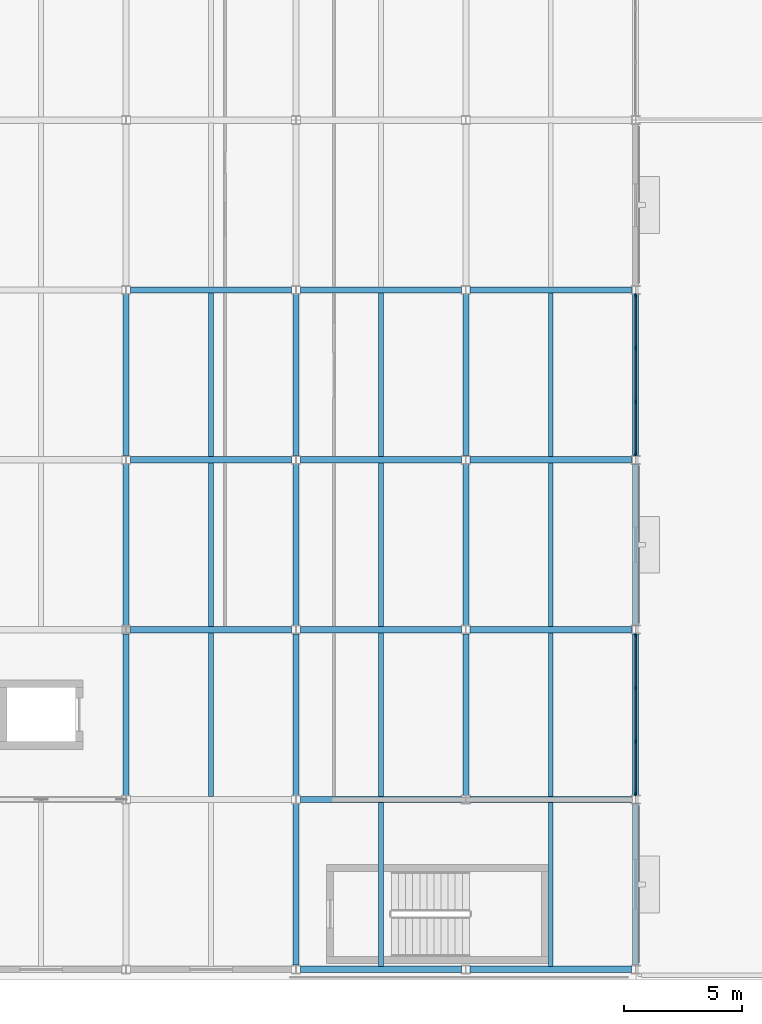
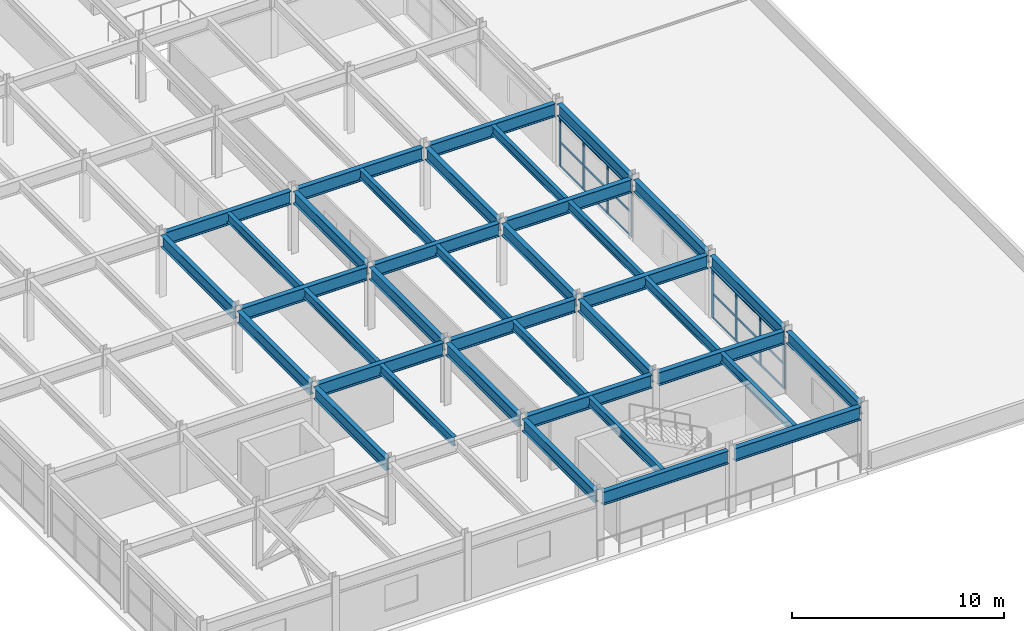
# One storey, part 25 of 80: 38 beams, 26 members, 2 elements without a shape of their own.
"""IFC4 building model written with IfcOpenShell, lengths in metres."""

from ifc_helpers import new_model, si_unit, direction, frame, origin, origin_2d, place, context, subcontext, project, spatial, rectangle, i_section, extrude, material, material_profile, profile_set, type_object, element, aggregate, save


model = new_model("IFC4")

# Units and contexts
model_context = context("Model", 3, precision=1e-05, world=origin(), true_north=direction((0.0, 1.0)))
body_context = subcontext(model_context, "Body", "Model", "MODEL_VIEW")
ifc_project = project(units=[si_unit("LENGTHUNIT", "METRE"), si_unit("AREAUNIT", "SQUARE_METRE"), si_unit("VOLUMEUNIT", "CUBIC_METRE"), si_unit("PLANEANGLEUNIT", "RADIAN"), si_unit("MASSUNIT", "GRAM", prefix="KILO")], contexts=[model_context])

# Site, building, storey
site_placement = place(None, origin())
site = spatial("IfcSite", under=ifc_project, at=site_placement, CompositionType="ELEMENT")
building_placement = place(site_placement, origin())
building = spatial("IfcBuilding", under=site, at=building_placement, Name="Vaelcorin Mobility Hub", CompositionType="ELEMENT")
storey_placement = place(building_placement, frame((0.0, 0.0, 9.300048828125)))
storey = spatial("IfcBuildingStorey", under=building, at=storey_placement, Name="L02", CompositionType="ELEMENT", Elevation=9.300048828125)

# Beams
ifc_material_1 = material(Name="Steel ASTM A992 Grade 50", Category="steel")
ifc_material_profile_1 = material_profile(ifc_material_1, i_section(OverallWidth=0.2099609375, OverallDepth=0.532958984375, WebThickness=0.01025390625, FlangeThickness=0.015625, FilletRadius=0.013916015625, at=origin_2d()), Name="W21X62")
ifc_profile_set_1 = profile_set([ifc_material_profile_1], Name="Steel ASTM A992 Grade 50")
beam_type_1 = type_object("IfcBeamType", Name="BM-W21X62", PredefinedType="JOIST", material=ifc_profile_set_1)
beam_1_placement = place(storey_placement, frame((171.60009765625, 13.33203125, 3.333984375), z_axis=(0.0, 1.0, 0.0), x_axis=(-1.0, 0.0, 0.0)))
element("IfcBeam", 1, at=beam_1_placement, inside=storey, type_object=beam_type_1, Name="L02 Beam V5-L02-J-03-02-1", PredefinedType="JOIST", context=body_context, shape_type="SweptSolid", body=[
    extrude(i_section(OverallWidth=0.2099609375, OverallDepth=0.532958984375, WebThickness=0.01025390625, FlangeThickness=0.015625, FilletRadius=0.013916015625, at=origin_2d()), origin(), (0.0, 0.0, 1.0), 6.93603515625),
])
beam_2_placement = place(storey_placement, frame((171.60009765625, 20.531005859375, 3.333984375), z_axis=(0.0, 1.0, 0.0), x_axis=(-1.0, 0.0, 0.0)))
element("IfcBeam", 2, at=beam_2_placement, inside=storey, type_object=beam_type_1, Name="L02 Beam V5-L02-J-03-03-1", PredefinedType="JOIST", context=body_context, shape_type="SweptSolid", body=[
    extrude(i_section(OverallWidth=0.2099609375, OverallDepth=0.532958984375, WebThickness=0.01025390625, FlangeThickness=0.015625, FilletRadius=0.013916015625, at=origin_2d()), origin(), (0.0, 0.0, 1.0), 6.93798828125),
])
for number, where, z_axis, x_axis, name in (
    (3, (171.60009765625, 27.73193359375, 3.333984375), (0.0, 1.0, 0.0), (-1.0, 0.0, 0.0), "L02 Beam V5-L02-J-03-04-1"),
    (4, (178.800048828125, 6.132080078125, 3.333984375), (0.0, 1.0, 0.0), (-1.0, 0.0, 0.0), "L02 Beam V5-L02-J-04-01-1"),
    (5, (178.800048828125, 13.33203125, 3.333984375), (0.0, 1.0, 0.0), (-1.0, 0.0, 0.0), "L02 Beam V5-L02-J-04-02-1"),
):
    element("IfcBeam", number, at=place(storey_placement, frame(where, z_axis=z_axis, x_axis=x_axis)), inside=storey, type_object=beam_type_1, Name=name, PredefinedType="JOIST", context=body_context, shape_type="SweptSolid", body=[
        extrude(i_section(OverallWidth=0.2099609375, OverallDepth=0.532958984375, WebThickness=0.01025390625, FlangeThickness=0.015625, FilletRadius=0.013916015625, at=origin_2d()), origin(), (0.0, 0.0, 1.0), 6.93603515625),
    ])
beam_3_placement = place(storey_placement, frame((178.800048828125, 20.531005859375, 3.333984375), z_axis=(0.0, 1.0, 0.0), x_axis=(-1.0, 0.0, 0.0)))
element("IfcBeam", 6, at=beam_3_placement, inside=storey, type_object=beam_type_1, Name="L02 Beam V5-L02-J-04-03-1", PredefinedType="JOIST", context=body_context, shape_type="SweptSolid", body=[
    extrude(i_section(OverallWidth=0.2099609375, OverallDepth=0.532958984375, WebThickness=0.01025390625, FlangeThickness=0.015625, FilletRadius=0.013916015625, at=origin_2d()), origin(), (0.0, 0.0, 1.0), 6.93798828125),
])
for number, where, z_axis, x_axis, name in (
    (7, (178.800048828125, 27.73193359375, 3.333984375), (0.0, 1.0, 0.0), (-1.0, 0.0, 0.0), "L02 Beam V5-L02-J-04-04-1"),
    (8, (186.0, 6.132080078125, 3.333984375), (0.0, 1.0, 0.0), (-1.0, 0.0, 0.0), "L02 Beam V5-L02-J-05-01-1"),
    (9, (186.0, 13.33203125, 3.333984375), (0.0, 1.0, 0.0), (-1.0, 0.0, 0.0), "L02 Beam V5-L02-J-05-02-1"),
):
    element("IfcBeam", number, at=place(storey_placement, frame(where, z_axis=z_axis, x_axis=x_axis)), inside=storey, type_object=beam_type_1, Name=name, PredefinedType="JOIST", context=body_context, shape_type="SweptSolid", body=[
        extrude(i_section(OverallWidth=0.2099609375, OverallDepth=0.532958984375, WebThickness=0.01025390625, FlangeThickness=0.015625, FilletRadius=0.013916015625, at=origin_2d()), origin(), (0.0, 0.0, 1.0), 6.93603515625),
    ])
beam_4_placement = place(storey_placement, frame((186.0, 20.531005859375, 3.333984375), z_axis=(0.0, 1.0, 0.0), x_axis=(-1.0, 0.0, 0.0)))
element("IfcBeam", 10, at=beam_4_placement, inside=storey, type_object=beam_type_1, Name="L02 Beam V5-L02-J-05-03-1", PredefinedType="JOIST", context=body_context, shape_type="SweptSolid", body=[
    extrude(i_section(OverallWidth=0.2099609375, OverallDepth=0.532958984375, WebThickness=0.01025390625, FlangeThickness=0.015625, FilletRadius=0.013916015625, at=origin_2d()), origin(), (0.0, 0.0, 1.0), 6.93798828125),
])
beam_5_placement = place(storey_placement, frame((186.0, 27.73193359375, 3.333984375), z_axis=(0.0, 1.0, 0.0), x_axis=(-1.0, 0.0, 0.0)))
element("IfcBeam", 11, at=beam_5_placement, inside=storey, type_object=beam_type_1, Name="L02 Beam V5-L02-J-05-04-1", PredefinedType="JOIST", context=body_context, shape_type="SweptSolid", body=[
    extrude(i_section(OverallWidth=0.2099609375, OverallDepth=0.532958984375, WebThickness=0.01025390625, FlangeThickness=0.015625, FilletRadius=0.013916015625, at=origin_2d()), origin(), (0.0, 0.0, 1.0), 6.93603515625),
])
ifc_material_profile_2 = material_profile(ifc_material_1, i_section(OverallWidth=0.25390625, OverallDepth=0.68310546875, WebThickness=0.012451171875, FlangeThickness=0.018798828125, FilletRadius=0.01611328125, at=origin_2d()), Name="W27X94")
ifc_profile_set_2 = profile_set([ifc_material_profile_2], Name="Steel ASTM A992 Grade 50")
beam_type_2 = type_object("IfcBeamType", Name="BM-W27X94", PredefinedType="BEAM", material=ifc_profile_set_2)
for number, where, z_axis, x_axis, name in (
    (12, (168.0, 13.3759765625, 3.258056640625), (0.0, 1.0, 0.0), (-1.0, 0.0, 0.0), "L02 Beam V5-L02-GY-03-02"),
    (13, (168.0, 20.575927734375, 3.258056640625), (0.0, 1.0, 0.0), (-1.0, 0.0, 0.0), "L02 Beam V5-L02-GY-03-03"),
    (14, (168.0, 27.77587890625, 3.258056640625), (0.0, 1.0, 0.0), (-1.0, 0.0, 0.0), "L02 Beam V5-L02-GY-03-04"),
):
    element("IfcBeam", number, at=place(storey_placement, frame(where, z_axis=z_axis, x_axis=x_axis)), inside=storey, type_object=beam_type_2, Name=name, PredefinedType="BEAM", context=body_context, shape_type="SweptSolid", body=[
        extrude(i_section(OverallWidth=0.25390625, OverallDepth=0.68310546875, WebThickness=0.012451171875, FlangeThickness=0.018798828125, FilletRadius=0.01611328125, at=origin_2d()), origin(), (0.0, 0.0, 1.0), 6.84814453125),
    ])
beam_6_placement = place(storey_placement, frame((175.199951171875, 6.176025390625, 3.258056640625), z_axis=(0.0, 1.0, 0.0), x_axis=(-1.0, 0.0, 0.0)))
element("IfcBeam", 15, at=beam_6_placement, inside=storey, type_object=beam_type_2, Name="L02 Beam V5-L02-GY-04-01", PredefinedType="BEAM", context=body_context, shape_type="SweptSolid", body=[
    extrude(i_section(OverallWidth=0.25390625, OverallDepth=0.68310546875, WebThickness=0.012451171875, FlangeThickness=0.018798828125, FilletRadius=0.01611328125, at=origin_2d()), origin(), (0.0, 0.0, 1.0), 6.847900390625),
])
for number, where, z_axis, x_axis, name in (
    (16, (175.199951171875, 13.3759765625, 3.258056640625), (0.0, 1.0, 0.0), (-1.0, 0.0, 0.0), "L02 Beam V5-L02-GY-04-02"),
    (17, (175.199951171875, 20.575927734375, 3.258056640625), (0.0, 1.0, 0.0), (-1.0, 0.0, 0.0), "L02 Beam V5-L02-GY-04-03"),
    (18, (175.199951171875, 27.77587890625, 3.258056640625), (0.0, 1.0, 0.0), (-1.0, 0.0, 0.0), "L02 Beam V5-L02-GY-04-04"),
    (19, (182.39990234375, 13.3759765625, 3.258056640625), (0.0, 1.0, 0.0), (-1.0, 0.0, 0.0), "L02 Beam V5-L02-GY-05-02"),
    (20, (182.39990234375, 20.575927734375, 3.258056640625), (0.0, 1.0, 0.0), (-1.0, 0.0, 0.0), "L02 Beam V5-L02-GY-05-03"),
    (21, (182.39990234375, 27.77587890625, 3.258056640625), (0.0, 1.0, 0.0), (-1.0, 0.0, 0.0), "L02 Beam V5-L02-GY-05-04"),
):
    element("IfcBeam", number, at=place(storey_placement, frame(where, z_axis=z_axis, x_axis=x_axis)), inside=storey, type_object=beam_type_2, Name=name, PredefinedType="BEAM", context=body_context, shape_type="SweptSolid", body=[
        extrude(i_section(OverallWidth=0.25390625, OverallDepth=0.68310546875, WebThickness=0.012451171875, FlangeThickness=0.018798828125, FilletRadius=0.01611328125, at=origin_2d()), origin(), (0.0, 0.0, 1.0), 6.84814453125),
    ])
beam_7_placement = place(storey_placement, frame((189.60009765625, 6.176025390625, 3.258056640625), z_axis=(0.0, 1.0, 0.0), x_axis=(-1.0, 0.0, 0.0)))
element("IfcBeam", 22, at=beam_7_placement, inside=storey, type_object=beam_type_2, Name="L02 Beam V5-L02-GY-06-01", PredefinedType="BEAM", context=body_context, shape_type="SweptSolid", body=[
    extrude(i_section(OverallWidth=0.25390625, OverallDepth=0.68310546875, WebThickness=0.012451171875, FlangeThickness=0.018798828125, FilletRadius=0.01611328125, at=origin_2d()), origin(), (0.0, 0.0, 1.0), 6.847900390625),
])
for number, where, z_axis, x_axis, name in (
    (23, (189.60009765625, 13.3759765625, 3.258056640625), (0.0, 1.0, 0.0), (-1.0, 0.0, 0.0), "L02 Beam V5-L02-GY-06-02"),
    (24, (189.60009765625, 20.575927734375, 3.258056640625), (0.0, 1.0, 0.0), (-1.0, 0.0, 0.0), "L02 Beam V5-L02-GY-06-03"),
    (25, (189.60009765625, 27.77587890625, 3.258056640625), (0.0, 1.0, 0.0), (-1.0, 0.0, 0.0), "L02 Beam V5-L02-GY-06-04"),
):
    element("IfcBeam", number, at=place(storey_placement, frame(where, z_axis=z_axis, x_axis=x_axis)), inside=storey, type_object=beam_type_2, Name=name, PredefinedType="BEAM", context=body_context, shape_type="SweptSolid", body=[
        extrude(i_section(OverallWidth=0.25390625, OverallDepth=0.68310546875, WebThickness=0.012451171875, FlangeThickness=0.018798828125, FilletRadius=0.01611328125, at=origin_2d()), origin(), (0.0, 0.0, 1.0), 6.84814453125),
    ])
ifc_material_profile_3 = material_profile(ifc_material_1, i_section(OverallWidth=0.26708984375, OverallDepth=0.757080078125, WebThickness=0.013916015625, FlangeThickness=0.019287109375, FilletRadius=0.01708984375, at=origin_2d()), Name="W30X108")
ifc_profile_set_3 = profile_set([ifc_material_profile_3], Name="Steel ASTM A992 Grade 50")
beam_type_3 = type_object("IfcBeamType", Name="BM-W30X108", PredefinedType="BEAM", material=ifc_profile_set_3)
for number, where, z_axis, x_axis, name in (
    (26, (175.382080078125, 6.0, 3.221923828125), (1.0, 0.0, 0.0), (0.0, 1.0, 0.0), "L02 Beam V5-L02-GX-01-04"),
    (27, (182.58203125, 6.0, 3.221923828125), (1.0, 0.0, 0.0), (0.0, 1.0, 0.0), "L02 Beam V5-L02-GX-01-05"),
    (28, (175.382080078125, 13.199951171875, 3.221923828125), (1.0, 0.0, 0.0), (0.0, 1.0, 0.0), "L02 Beam V5-L02-GX-02-04"),
    (29, (182.58203125, 13.199951171875, 3.221923828125), (1.0, 0.0, 0.0), (0.0, 1.0, 0.0), "L02 Beam V5-L02-GX-02-05"),
):
    element("IfcBeam", number, at=place(storey_placement, frame(where, z_axis=z_axis, x_axis=x_axis)), inside=storey, type_object=beam_type_3, Name=name, PredefinedType="BEAM", context=body_context, shape_type="SweptSolid", body=[
        extrude(i_section(OverallWidth=0.26708984375, OverallDepth=0.757080078125, WebThickness=0.013916015625, FlangeThickness=0.019287109375, FilletRadius=0.01708984375, at=origin_2d()), origin(), (0.0, 0.0, 1.0), 6.8359375),
    ])
beam_8_placement = place(storey_placement, frame((168.181884765625, 20.39990234375, 3.221923828125), z_axis=(1.0, 0.0, 0.0), x_axis=(0.0, 1.0, 0.0)))
element("IfcBeam", 30, at=beam_8_placement, inside=storey, type_object=beam_type_3, Name="L02 Beam V5-L02-GX-03-03", PredefinedType="BEAM", context=body_context, shape_type="SweptSolid", body=[
    extrude(i_section(OverallWidth=0.26708984375, OverallDepth=0.757080078125, WebThickness=0.013916015625, FlangeThickness=0.019287109375, FilletRadius=0.01708984375, at=origin_2d()), origin(), (0.0, 0.0, 1.0), 6.836181640625),
])
for number, where, z_axis, x_axis, name in (
    (31, (175.382080078125, 20.39990234375, 3.221923828125), (1.0, 0.0, 0.0), (0.0, 1.0, 0.0), "L02 Beam V5-L02-GX-03-04"),
    (32, (182.58203125, 20.39990234375, 3.221923828125), (1.0, 0.0, 0.0), (0.0, 1.0, 0.0), "L02 Beam V5-L02-GX-03-05"),
):
    element("IfcBeam", number, at=place(storey_placement, frame(where, z_axis=z_axis, x_axis=x_axis)), inside=storey, type_object=beam_type_3, Name=name, PredefinedType="BEAM", context=body_context, shape_type="SweptSolid", body=[
        extrude(i_section(OverallWidth=0.26708984375, OverallDepth=0.757080078125, WebThickness=0.013916015625, FlangeThickness=0.019287109375, FilletRadius=0.01708984375, at=origin_2d()), origin(), (0.0, 0.0, 1.0), 6.8359375),
    ])
beam_9_placement = place(storey_placement, frame((168.181884765625, 27.60009765625, 3.221923828125), z_axis=(1.0, 0.0, 0.0), x_axis=(0.0, 1.0, 0.0)))
element("IfcBeam", 33, at=beam_9_placement, inside=storey, type_object=beam_type_3, Name="L02 Beam V5-L02-GX-04-03", PredefinedType="BEAM", context=body_context, shape_type="SweptSolid", body=[
    extrude(i_section(OverallWidth=0.26708984375, OverallDepth=0.757080078125, WebThickness=0.013916015625, FlangeThickness=0.019287109375, FilletRadius=0.01708984375, at=origin_2d()), origin(), (0.0, 0.0, 1.0), 6.836181640625),
])
for number, where, z_axis, x_axis, name in (
    (34, (175.382080078125, 27.60009765625, 3.221923828125), (1.0, 0.0, 0.0), (0.0, 1.0, 0.0), "L02 Beam V5-L02-GX-04-04"),
    (35, (182.58203125, 27.60009765625, 3.221923828125), (1.0, 0.0, 0.0), (0.0, 1.0, 0.0), "L02 Beam V5-L02-GX-04-05"),
):
    element("IfcBeam", number, at=place(storey_placement, frame(where, z_axis=z_axis, x_axis=x_axis)), inside=storey, type_object=beam_type_3, Name=name, PredefinedType="BEAM", context=body_context, shape_type="SweptSolid", body=[
        extrude(i_section(OverallWidth=0.26708984375, OverallDepth=0.757080078125, WebThickness=0.013916015625, FlangeThickness=0.019287109375, FilletRadius=0.01708984375, at=origin_2d()), origin(), (0.0, 0.0, 1.0), 6.8359375),
    ])
beam_10_placement = place(storey_placement, frame((168.181884765625, 34.800048828125, 3.221923828125), z_axis=(1.0, 0.0, 0.0), x_axis=(0.0, 1.0, 0.0)))
element("IfcBeam", 36, at=beam_10_placement, inside=storey, type_object=beam_type_3, Name="L02 Beam V5-L02-GX-05-03", PredefinedType="BEAM", context=body_context, shape_type="SweptSolid", body=[
    extrude(i_section(OverallWidth=0.26708984375, OverallDepth=0.757080078125, WebThickness=0.013916015625, FlangeThickness=0.019287109375, FilletRadius=0.01708984375, at=origin_2d()), origin(), (0.0, 0.0, 1.0), 6.836181640625),
])
for number, where, z_axis, x_axis, name in (
    (37, (175.382080078125, 34.800048828125, 3.221923828125), (1.0, 0.0, 0.0), (0.0, 1.0, 0.0), "L02 Beam V5-L02-GX-05-04"),
    (38, (182.58203125, 34.800048828125, 3.221923828125), (1.0, 0.0, 0.0), (0.0, 1.0, 0.0), "L02 Beam V5-L02-GX-05-05"),
):
    element("IfcBeam", number, at=place(storey_placement, frame(where, z_axis=z_axis, x_axis=x_axis)), inside=storey, type_object=beam_type_3, Name=name, PredefinedType="BEAM", context=body_context, shape_type="SweptSolid", body=[
        extrude(i_section(OverallWidth=0.26708984375, OverallDepth=0.757080078125, WebThickness=0.013916015625, FlangeThickness=0.019287109375, FilletRadius=0.01708984375, at=origin_2d()), origin(), (0.0, 0.0, 1.0), 6.8359375),
    ])

# Curtain wall, members
ifc_material_2 = material(Name="Anodised aluminium 6063-T6", Category="aluminium")
curtain_wall_type = type_object("IfcCurtainWallType", Name="CW-MOB-A", PredefinedType="NOTDEFINED", material=ifc_material_2)
curtain_wall_1_placement = place(storey_placement, origin())
curtain_wall_1 = element("IfcCurtainWall", 39, at=curtain_wall_1_placement, inside=storey, type_object=curtain_wall_type, Name="L02 Curtain Wall CW-V5-L02-E-02", PredefinedType="NOTDEFINED")
ifc_material_profile_4 = material_profile(ifc_material_2, rectangle(XDim=0.06005859375, YDim=0.159912109375, at=origin_2d()), Name="ALU-M60X160")
ifc_profile_set_4 = profile_set([ifc_material_profile_4], Name="Anodised aluminium 6063-T6")
member_type_1 = type_object("IfcMemberType", Name="CW-MULL-160", PredefinedType="MULLION", material=ifc_profile_set_4)
member_1_placement = place(storey_placement, frame((189.60009765625, 20.14990234375, 0.0), z_axis=(0.0, 0.0, 1.0), x_axis=(1.0, 0.0, 0.0)))
member_1 = element("IfcMember", 40, at=member_1_placement, type_object=member_type_1, Name="CW7 mullion 1", PredefinedType="MULLION", context=body_context, shape_type="SweptSolid", body=[
    extrude(rectangle(XDim=0.06005859375, YDim=0.159912109375, at=origin_2d()), origin(), (0.0, 0.0, 1.0), 2.827880859375),
])
member_2_placement = place(storey_placement, frame((189.60009765625, 17.9267578125, 0.0), z_axis=(0.0, 0.0, 1.0), x_axis=(1.0, 0.0, 0.0)))
member_2 = element("IfcMember", 41, at=member_2_placement, type_object=member_type_1, Name="CW7 mullion 2", PredefinedType="MULLION", context=body_context, shape_type="SweptSolid", body=[
    extrude(rectangle(XDim=0.06005859375, YDim=0.159912109375, at=origin_2d()), origin(), (0.0, 0.0, 1.0), 2.827880859375),
])
member_3_placement = place(storey_placement, frame((189.60009765625, 15.67333984375, 0.0), z_axis=(0.0, 0.0, 1.0), x_axis=(1.0, 0.0, 0.0)))
member_3 = element("IfcMember", 42, at=member_3_placement, type_object=member_type_1, Name="CW7 mullion 3", PredefinedType="MULLION", context=body_context, shape_type="SweptSolid", body=[
    extrude(rectangle(XDim=0.06005859375, YDim=0.159912109375, at=origin_2d()), origin(), (0.0, 0.0, 1.0), 2.827880859375),
])
member_4_placement = place(storey_placement, frame((189.60009765625, 13.449951171875, 0.0), z_axis=(0.0, 0.0, 1.0), x_axis=(1.0, 0.0, 0.0)))
member_4 = element("IfcMember", 43, at=member_4_placement, type_object=member_type_1, Name="CW7 mullion 4", PredefinedType="MULLION", context=body_context, shape_type="SweptSolid", body=[
    extrude(rectangle(XDim=0.06005859375, YDim=0.159912109375, at=origin_2d()), origin(), (0.0, 0.0, 1.0), 2.827880859375),
])

curtain_wall_2_placement = place(storey_placement, origin())
curtain_wall_2 = element("IfcCurtainWall", 44, at=curtain_wall_2_placement, inside=storey, type_object=curtain_wall_type, Name="L02 Curtain Wall CW-V5-L02-E-04", PredefinedType="NOTDEFINED")
member_5_placement = place(storey_placement, frame((189.60009765625, 34.550048828125, 0.0), z_axis=(0.0, 0.0, 1.0), x_axis=(1.0, 0.0, 0.0)))
member_5 = element("IfcMember", 45, at=member_5_placement, type_object=member_type_1, Name="CW7 mullion 1", PredefinedType="MULLION", context=body_context, shape_type="SweptSolid", body=[
    extrude(rectangle(XDim=0.06005859375, YDim=0.159912109375, at=origin_2d()), origin(), (0.0, 0.0, 1.0), 2.827880859375),
])
member_6_placement = place(storey_placement, frame((189.60009765625, 32.32666015625, 0.0), z_axis=(0.0, 0.0, 1.0), x_axis=(1.0, 0.0, 0.0)))
member_6 = element("IfcMember", 46, at=member_6_placement, type_object=member_type_1, Name="CW7 mullion 2", PredefinedType="MULLION", context=body_context, shape_type="SweptSolid", body=[
    extrude(rectangle(XDim=0.06005859375, YDim=0.159912109375, at=origin_2d()), origin(), (0.0, 0.0, 1.0), 2.827880859375),
])
member_7_placement = place(storey_placement, frame((189.60009765625, 30.0732421875, 0.0), z_axis=(0.0, 0.0, 1.0), x_axis=(1.0, 0.0, 0.0)))
member_7 = element("IfcMember", 47, at=member_7_placement, type_object=member_type_1, Name="CW7 mullion 3", PredefinedType="MULLION", context=body_context, shape_type="SweptSolid", body=[
    extrude(rectangle(XDim=0.06005859375, YDim=0.159912109375, at=origin_2d()), origin(), (0.0, 0.0, 1.0), 2.827880859375),
])
member_8_placement = place(storey_placement, frame((189.60009765625, 27.85009765625, 0.0), z_axis=(0.0, 0.0, 1.0), x_axis=(1.0, 0.0, 0.0)))
member_8 = element("IfcMember", 48, at=member_8_placement, type_object=member_type_1, Name="CW7 mullion 4", PredefinedType="MULLION", context=body_context, shape_type="SweptSolid", body=[
    extrude(rectangle(XDim=0.06005859375, YDim=0.159912109375, at=origin_2d()), origin(), (0.0, 0.0, 1.0), 2.827880859375),
])

# Member
ifc_material_profile_5 = material_profile(ifc_material_2, rectangle(XDim=0.06005859375, YDim=0.1201171875, at=origin_2d()), Name="ALU-T60X120")
ifc_profile_set_5 = profile_set([ifc_material_profile_5], Name="Anodised aluminium 6063-T6")
member_type_2 = type_object("IfcMemberType", Name="CW-TRAN-140", PredefinedType="USERDEFINED", material=ifc_profile_set_5)
member_9_placement = place(storey_placement, frame((189.60009765625, 20.1201171875, 0.030029296875), z_axis=(0.0, -1.0, 0.0), x_axis=(1.0, 0.0, 0.0)))
member_9 = element("IfcMember", 49, at=member_9_placement, type_object=member_type_2, Name="CW7 transom 1.1", ObjectType="TRANSOM", PredefinedType="USERDEFINED", context=body_context, shape_type="SweptSolid", body=[
    extrude(rectangle(XDim=0.06005859375, YDim=0.1201171875, at=origin_2d()), origin(), (0.0, 0.0, 1.0), 2.163330078125),
])

member_10_placement = place(storey_placement, frame((189.60009765625, 20.1201171875, 1.4140625), z_axis=(0.0, -1.0, 0.0), x_axis=(1.0, 0.0, 0.0)))
member_10 = element("IfcMember", 50, at=member_10_placement, type_object=member_type_2, Name="CW7 transom 1.2", ObjectType="TRANSOM", PredefinedType="USERDEFINED", context=body_context, shape_type="SweptSolid", body=[
    extrude(rectangle(XDim=0.06005859375, YDim=0.1201171875, at=origin_2d()), origin(), (0.0, 0.0, 1.0), 2.163330078125),
])

member_11_placement = place(storey_placement, frame((189.60009765625, 20.1201171875, 2.7978515625), z_axis=(0.0, -1.0, 0.0), x_axis=(1.0, 0.0, 0.0)))
member_11 = element("IfcMember", 51, at=member_11_placement, type_object=member_type_2, Name="CW7 transom 1.3", ObjectType="TRANSOM", PredefinedType="USERDEFINED", context=body_context, shape_type="SweptSolid", body=[
    extrude(rectangle(XDim=0.06005859375, YDim=0.1201171875, at=origin_2d()), origin(), (0.0, 0.0, 1.0), 2.163330078125),
])

member_12_placement = place(storey_placement, frame((189.60009765625, 17.896728515625, 0.030029296875), z_axis=(0.0, -1.0, 0.0), x_axis=(1.0, 0.0, 0.0)))
member_12 = element("IfcMember", 52, at=member_12_placement, type_object=member_type_2, Name="CW7 transom 2.1", ObjectType="TRANSOM", PredefinedType="USERDEFINED", context=body_context, shape_type="SweptSolid", body=[
    extrude(rectangle(XDim=0.06005859375, YDim=0.1201171875, at=origin_2d()), origin(), (0.0, 0.0, 1.0), 2.193359375),
])

member_13_placement = place(storey_placement, frame((189.60009765625, 17.896728515625, 1.4140625), z_axis=(0.0, -1.0, 0.0), x_axis=(1.0, 0.0, 0.0)))
member_13 = element("IfcMember", 53, at=member_13_placement, type_object=member_type_2, Name="CW7 transom 2.2", ObjectType="TRANSOM", PredefinedType="USERDEFINED", context=body_context, shape_type="SweptSolid", body=[
    extrude(rectangle(XDim=0.06005859375, YDim=0.1201171875, at=origin_2d()), origin(), (0.0, 0.0, 1.0), 2.193359375),
])

member_14_placement = place(storey_placement, frame((189.60009765625, 17.896728515625, 2.7978515625), z_axis=(0.0, -1.0, 0.0), x_axis=(1.0, 0.0, 0.0)))
member_14 = element("IfcMember", 54, at=member_14_placement, type_object=member_type_2, Name="CW7 transom 2.3", ObjectType="TRANSOM", PredefinedType="USERDEFINED", context=body_context, shape_type="SweptSolid", body=[
    extrude(rectangle(XDim=0.06005859375, YDim=0.1201171875, at=origin_2d()), origin(), (0.0, 0.0, 1.0), 2.193359375),
])

member_15_placement = place(storey_placement, frame((189.60009765625, 15.643310546875, 0.030029296875), z_axis=(0.0, -1.0, 0.0), x_axis=(1.0, 0.0, 0.0)))
member_15 = element("IfcMember", 55, at=member_15_placement, type_object=member_type_2, Name="CW7 transom 3.1", ObjectType="TRANSOM", PredefinedType="USERDEFINED", context=body_context, shape_type="SweptSolid", body=[
    extrude(rectangle(XDim=0.06005859375, YDim=0.1201171875, at=origin_2d()), origin(), (0.0, 0.0, 1.0), 2.163330078125),
])

member_16_placement = place(storey_placement, frame((189.60009765625, 15.643310546875, 1.4140625), z_axis=(0.0, -1.0, 0.0), x_axis=(1.0, 0.0, 0.0)))
member_16 = element("IfcMember", 56, at=member_16_placement, type_object=member_type_2, Name="CW7 transom 3.2", ObjectType="TRANSOM", PredefinedType="USERDEFINED", context=body_context, shape_type="SweptSolid", body=[
    extrude(rectangle(XDim=0.06005859375, YDim=0.1201171875, at=origin_2d()), origin(), (0.0, 0.0, 1.0), 2.163330078125),
])

member_17_placement = place(storey_placement, frame((189.60009765625, 15.643310546875, 2.7978515625), z_axis=(0.0, -1.0, 0.0), x_axis=(1.0, 0.0, 0.0)))
member_17 = element("IfcMember", 57, at=member_17_placement, type_object=member_type_2, Name="CW7 transom 3.3", ObjectType="TRANSOM", PredefinedType="USERDEFINED", context=body_context, shape_type="SweptSolid", body=[
    extrude(rectangle(XDim=0.06005859375, YDim=0.1201171875, at=origin_2d()), origin(), (0.0, 0.0, 1.0), 2.163330078125),
])

aggregate(curtain_wall_1, [member_1, member_2, member_3, member_4, member_9, member_10, member_11, member_12, member_13, member_14, member_15, member_16, member_17])

member_18_placement = place(storey_placement, frame((189.60009765625, 34.52001953125, 0.030029296875), z_axis=(0.0, -1.0, 0.0), x_axis=(1.0, 0.0, 0.0)))
member_18 = element("IfcMember", 58, at=member_18_placement, type_object=member_type_2, Name="CW7 transom 1.1", ObjectType="TRANSOM", PredefinedType="USERDEFINED", context=body_context, shape_type="SweptSolid", body=[
    extrude(rectangle(XDim=0.06005859375, YDim=0.1201171875, at=origin_2d()), origin(), (0.0, 0.0, 1.0), 2.163330078125),
])

member_19_placement = place(storey_placement, frame((189.60009765625, 34.52001953125, 1.4140625), z_axis=(0.0, -1.0, 0.0), x_axis=(1.0, 0.0, 0.0)))
member_19 = element("IfcMember", 59, at=member_19_placement, type_object=member_type_2, Name="CW7 transom 1.2", ObjectType="TRANSOM", PredefinedType="USERDEFINED", context=body_context, shape_type="SweptSolid", body=[
    extrude(rectangle(XDim=0.06005859375, YDim=0.1201171875, at=origin_2d()), origin(), (0.0, 0.0, 1.0), 2.163330078125),
])

member_20_placement = place(storey_placement, frame((189.60009765625, 34.52001953125, 2.7978515625), z_axis=(0.0, -1.0, 0.0), x_axis=(1.0, 0.0, 0.0)))
member_20 = element("IfcMember", 60, at=member_20_placement, type_object=member_type_2, Name="CW7 transom 1.3", ObjectType="TRANSOM", PredefinedType="USERDEFINED", context=body_context, shape_type="SweptSolid", body=[
    extrude(rectangle(XDim=0.06005859375, YDim=0.1201171875, at=origin_2d()), origin(), (0.0, 0.0, 1.0), 2.163330078125),
])

member_21_placement = place(storey_placement, frame((189.60009765625, 32.296630859375, 0.030029296875), z_axis=(0.0, -1.0, 0.0), x_axis=(1.0, 0.0, 0.0)))
member_21 = element("IfcMember", 61, at=member_21_placement, type_object=member_type_2, Name="CW7 transom 2.1", ObjectType="TRANSOM", PredefinedType="USERDEFINED", context=body_context, shape_type="SweptSolid", body=[
    extrude(rectangle(XDim=0.06005859375, YDim=0.1201171875, at=origin_2d()), origin(), (0.0, 0.0, 1.0), 2.193359375),
])

member_22_placement = place(storey_placement, frame((189.60009765625, 32.296630859375, 1.4140625), z_axis=(0.0, -1.0, 0.0), x_axis=(1.0, 0.0, 0.0)))
member_22 = element("IfcMember", 62, at=member_22_placement, type_object=member_type_2, Name="CW7 transom 2.2", ObjectType="TRANSOM", PredefinedType="USERDEFINED", context=body_context, shape_type="SweptSolid", body=[
    extrude(rectangle(XDim=0.06005859375, YDim=0.1201171875, at=origin_2d()), origin(), (0.0, 0.0, 1.0), 2.193359375),
])

member_23_placement = place(storey_placement, frame((189.60009765625, 32.296630859375, 2.7978515625), z_axis=(0.0, -1.0, 0.0), x_axis=(1.0, 0.0, 0.0)))
member_23 = element("IfcMember", 63, at=member_23_placement, type_object=member_type_2, Name="CW7 transom 2.3", ObjectType="TRANSOM", PredefinedType="USERDEFINED", context=body_context, shape_type="SweptSolid", body=[
    extrude(rectangle(XDim=0.06005859375, YDim=0.1201171875, at=origin_2d()), origin(), (0.0, 0.0, 1.0), 2.193359375),
])

member_24_placement = place(storey_placement, frame((189.60009765625, 30.043212890625, 0.030029296875), z_axis=(0.0, -1.0, 0.0), x_axis=(1.0, 0.0, 0.0)))
member_24 = element("IfcMember", 64, at=member_24_placement, type_object=member_type_2, Name="CW7 transom 3.1", ObjectType="TRANSOM", PredefinedType="USERDEFINED", context=body_context, shape_type="SweptSolid", body=[
    extrude(rectangle(XDim=0.06005859375, YDim=0.1201171875, at=origin_2d()), origin(), (0.0, 0.0, 1.0), 2.163330078125),
])

member_25_placement = place(storey_placement, frame((189.60009765625, 30.043212890625, 1.4140625), z_axis=(0.0, -1.0, 0.0), x_axis=(1.0, 0.0, 0.0)))
member_25 = element("IfcMember", 65, at=member_25_placement, type_object=member_type_2, Name="CW7 transom 3.2", ObjectType="TRANSOM", PredefinedType="USERDEFINED", context=body_context, shape_type="SweptSolid", body=[
    extrude(rectangle(XDim=0.06005859375, YDim=0.1201171875, at=origin_2d()), origin(), (0.0, 0.0, 1.0), 2.163330078125),
])

member_26_placement = place(storey_placement, frame((189.60009765625, 30.043212890625, 2.7978515625), z_axis=(0.0, -1.0, 0.0), x_axis=(1.0, 0.0, 0.0)))
member_26 = element("IfcMember", 66, at=member_26_placement, type_object=member_type_2, Name="CW7 transom 3.3", ObjectType="TRANSOM", PredefinedType="USERDEFINED", context=body_context, shape_type="SweptSolid", body=[
    extrude(rectangle(XDim=0.06005859375, YDim=0.1201171875, at=origin_2d()), origin(), (0.0, 0.0, 1.0), 2.163330078125),
])

aggregate(curtain_wall_2, [member_5, member_6, member_7, member_8, member_18, member_19, member_20, member_21, member_22, member_23, member_24, member_25, member_26])

save(model, "model.ifc")
